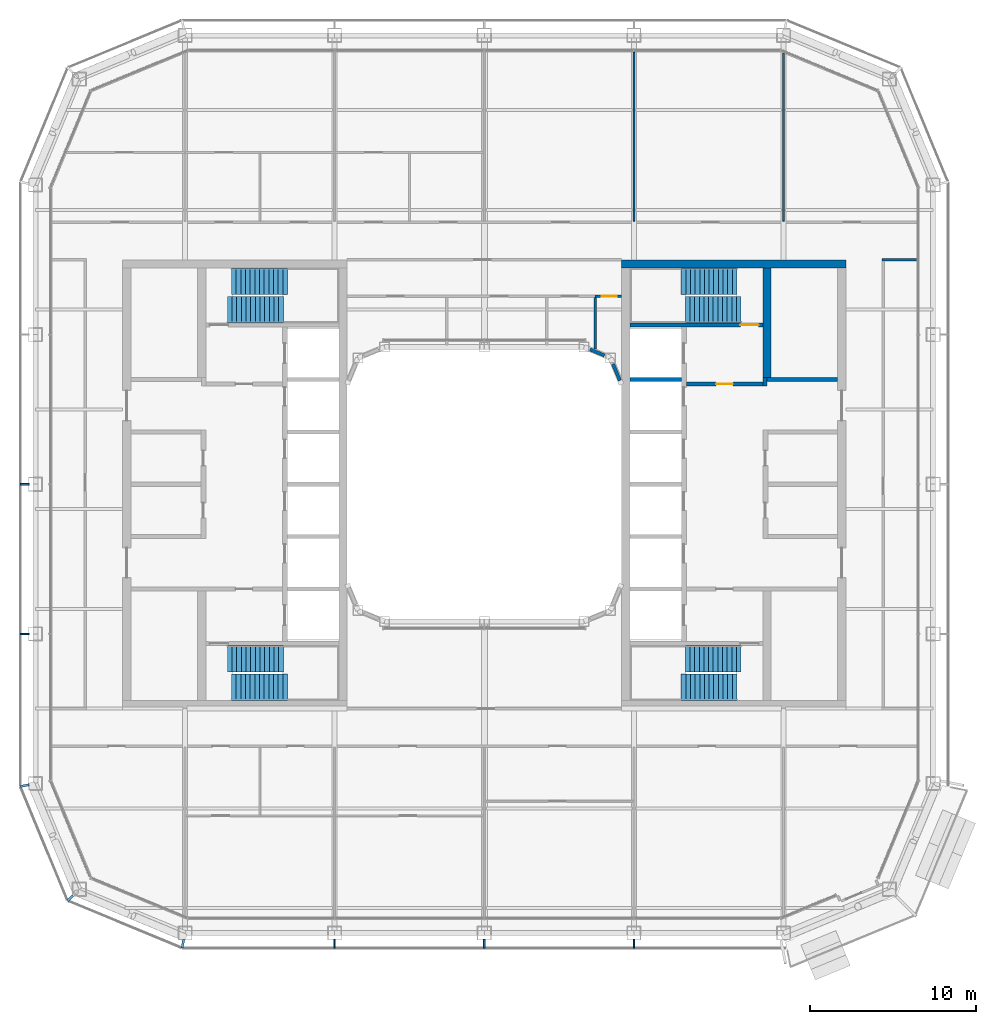
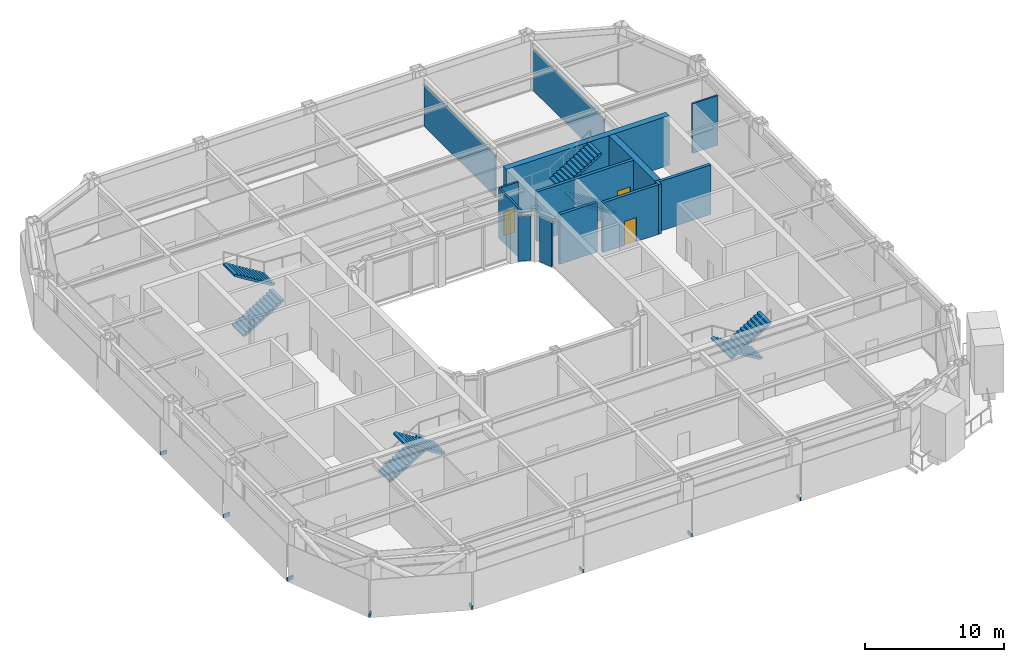
# One storey, part 15 of 22: 14 walls, 8 discrete accessories, 8 stair flights, 3 doors, 3 openings, 4 elements without a shape of their own.
"""IFC4 building model written with IfcOpenShell, lengths in metres."""

from ifc_helpers import new_model, si_unit, direction, frame, frame_2d, origin, origin_2d, place, context, subcontext, project, spatial, polyline, rectangle, outline, extrude, material, layer, layer_set, type_object, element, fill, aggregate, save


model = new_model("IFC4")

# Units and contexts
model_context = context("Model", 3, precision=1e-05, world=origin(), true_north=direction((0.0, 1.0)))
body_context = subcontext(model_context, "Body", "Model", "MODEL_VIEW")
ifc_project = project(units=[si_unit("LENGTHUNIT", "METRE"), si_unit("AREAUNIT", "SQUARE_METRE"), si_unit("VOLUMEUNIT", "CUBIC_METRE"), si_unit("PLANEANGLEUNIT", "RADIAN"), si_unit("MASSUNIT", "GRAM", prefix="KILO")], contexts=[model_context])

# Site, building, storey
site_placement = place(None, origin())
site = spatial("IfcSite", under=ifc_project, at=site_placement, CompositionType="ELEMENT")
building_placement = place(site_placement, origin())
building = spatial("IfcBuilding", under=site, at=building_placement, Name="Siwar Civic Tower", CompositionType="ELEMENT")
storey_placement = place(building_placement, frame((0.0, 0.0, 219.699951171875)))
storey = spatial("IfcBuildingStorey", under=building, at=storey_placement, Name="L47", CompositionType="ELEMENT", Elevation=219.699951171875)

# Wall, opening, door
ifc_material_1 = material(Name="Gypsum board on steel studs", Category="steel")
ifc_layer_1 = layer(ifc_material_1, 0.14990234375)
ifc_layer_set_1 = layer_set([ifc_layer_1], Name="Gypsum board on steel studs")
wall_type_1 = type_object("IfcWallType", Name="COMPARTMENT PARTITION 150 EI 60", PredefinedType="PARTITIONING", material=ifc_layer_set_1)
wall_1_placement = place(storey_placement, frame((6.659912109375, 11.300048828125, 0.0), z_axis=(0.0, 0.0, 1.0), x_axis=(1.0, 0.0, 0.0)))
wall_1 = element("IfcWall", 1, at=wall_1_placement, inside=storey, type_object=wall_type_1, Name="L47/wall/P08", PredefinedType="PARTITIONING", context=body_context, shape_type="SweptSolid", body=[
    extrude(rectangle(XDim=1.590087890625, YDim=0.14990234375, at=frame_2d((0.794921875, 0.0))), origin(), (0.0, 0.0, 1.0), 4.35009765625),
])
opening_1_placement = place(wall_1_placement, frame((0.39990234375, 0.0, 0.0)))
opening_1 = element("IfcOpeningElement", 2, at=opening_1_placement, cuts=wall_1, Name="Opening D4", PredefinedType="OPENING", context=body_context, shape_type="SweptSolid", body=[
    extrude(rectangle(XDim=0.89990234375, YDim=2.10009765625, at=frame_2d((0.449951171875, 1.050048828125))), frame((0.0, 0.0849609375, 0.0), z_axis=(0.0, -1.0, 0.0), x_axis=(1.0, 0.0, 0.0)), (0.0, 0.0, 1.0), 0.169921875),
])
ifc_material_2 = material(Name="Timber, painted", Category="wood")
door_type_1 = type_object("IfcDoorType", Name="DOOR 900 X 2100 FD60", OperationType="SINGLE_SWING_LEFT", PredefinedType="DOOR", material=ifc_material_2)
door_1_placement = place(opening_1_placement, origin())
door_1 = element("IfcDoor", 3, at=door_1_placement, inside=storey, type_object=door_type_1, Name="L47-D28", OperationType="SINGLE_SWING_RIGHT", OverallHeight=2.10009765625, OverallWidth=0.89990234375, PredefinedType="DOOR", context=body_context, shape_type="SweptSolid", body=[
    extrude(rectangle(XDim=0.89990234375, YDim=2.10009765625, at=frame_2d((0.449951171875, 1.050048828125))), frame((0.0, 0.02490234375, 0.0), z_axis=(0.0, -1.0, 0.0), x_axis=(1.0, 0.0, 0.0)), (0.0, 0.0, 1.0), 0.050048828125),
])
fill(opening_1, door_1)

# Wall
wall_2_placement = place(storey_placement, frame((6.659912109375, 8.126953125, 0.0), z_axis=(0.0, 0.0, 1.0), x_axis=(0.0, 1.0, 0.0)))
element("IfcWall", 4, at=wall_2_placement, inside=storey, type_object=wall_type_1, Name="L47/wall/P29", PredefinedType="PARTITIONING", context=body_context, shape_type="SweptSolid", body=[
    extrude(rectangle(XDim=3.09814453125, YDim=0.14990234375, at=frame_2d((1.549072265625, 0.0))), origin(), (0.0, 0.0, 1.0), 4.35009765625),
])

# Wall, opening, door
ifc_material_3 = material(Name="Concrete C60/75", Category="concrete")
ifc_layer_2 = layer(ifc_material_3, 0.25)
ifc_layer_set_2 = layer_set([ifc_layer_2], Name="Concrete C60/75")
wall_type_2 = type_object("IfcWallType", Name="CORE-WALL-RC250", PredefinedType="SHEAR", material=ifc_layer_set_2)
wall_3_placement = place(storey_placement, frame((12.14990234375, 6.02490234375, 0.0), z_axis=(0.0, 0.0, 1.0), x_axis=(1.0, 0.0, 0.0)))
wall_3 = element("IfcWall", 5, at=wall_3_placement, inside=storey, type_object=wall_type_2, Name="Core wall E", PredefinedType="SHEAR", context=body_context, shape_type="SweptSolid", body=[
    extrude(rectangle(XDim=4.60009765625, YDim=0.25, at=frame_2d((2.300048828125, 0.0))), origin(), (0.0, 0.0, 1.0), 4.35009765625),
])
opening_2_placement = place(wall_3_placement, frame((1.800048828125, 0.0, 0.0)))
opening_2 = element("IfcOpeningElement", 6, at=opening_2_placement, cuts=wall_3, Name="Opening L47-CE01", PredefinedType="OPENING", context=body_context, shape_type="SweptSolid", body=[
    extrude(rectangle(XDim=1.0, YDim=2.10009765625, at=frame_2d((0.5, 1.050048828125))), frame((0.0, 0.135009765625, 0.0), z_axis=(0.0, -1.0, 0.0), x_axis=(1.0, 0.0, 0.0)), (0.0, 0.0, 1.0), 0.27001953125),
])
ifc_material_4 = material(Name="Steel door leaf", Category="steel")
door_type_2 = type_object("IfcDoorType", Name="CORE-DOOR-FD30S", OperationType="SINGLE_SWING_LEFT", PredefinedType="DOOR", material=ifc_material_4)
door_2_placement = place(opening_2_placement, origin())
door_2 = element("IfcDoor", 7, at=door_2_placement, inside=storey, type_object=door_type_2, Name="Firefighting lobby door L47-CE01", OperationType="SINGLE_SWING_RIGHT", OverallHeight=2.10009765625, OverallWidth=1.0, PredefinedType="DOOR", context=body_context, shape_type="SweptSolid", body=[
    extrude(rectangle(XDim=1.0, YDim=2.10009765625, at=frame_2d((0.5, 1.050048828125))), frame((0.0, 0.02490234375, 0.0), z_axis=(0.0, -1.0, 0.0), x_axis=(1.0, 0.0, 0.0)), (0.0, 0.0, 1.0), 0.050048828125),
])
fill(opening_2, door_2)

# Walls
wall_4_placement = place(storey_placement, frame((16.875, 5.89990234375, 0.0), z_axis=(0.0, 0.0, 1.0), x_axis=(0.0, 1.0, 0.0)))
element("IfcWall", 8, at=wall_4_placement, inside=storey, type_object=wall_type_2, Name="Core wall E", PredefinedType="SHEAR", context=body_context, shape_type="SweptSolid", body=[
    extrude(rectangle(XDim=0.525146484375, YDim=0.25, at=frame_2d((0.2626953125, 0.0))), origin(), (0.0, 0.0, 1.0), 4.35009765625),
])
wall_5_placement = place(storey_placement, frame((17.0, 6.300048828125, 0.0), z_axis=(0.0, 0.0, 1.0), x_axis=(1.0, 0.0, 0.0)))
element("IfcWall", 9, at=wall_5_placement, inside=storey, type_object=wall_type_2, Name="Core wall E", PredefinedType="SHEAR", context=body_context, shape_type="SweptSolid", body=[
    extrude(rectangle(XDim=4.25, YDim=0.25, at=frame_2d((2.125, 0.0))), origin(), (0.0, 0.0, 1.0), 4.35009765625),
])
wall_6_placement = place(storey_placement, frame((8.75, 6.300048828125, 0.0), z_axis=(0.0, 0.0, 1.0), x_axis=(1.0, 0.0, 0.0)))
element("IfcWall", 10, at=wall_6_placement, inside=storey, type_object=wall_type_2, Name="Core wall E", PredefinedType="SHEAR", context=body_context, shape_type="SweptSolid", body=[
    extrude(rectangle(XDim=3.10009765625, YDim=0.25, at=frame_2d((1.550048828125, 0.0))), origin(), (0.0, 0.0, 1.0), 4.35009765625),
])

# Wall, opening, door
wall_7_placement = place(storey_placement, frame((8.75, 9.574951171875, 0.0), z_axis=(0.0, 0.0, 1.0), x_axis=(1.0, 0.0, 0.0)))
wall_7 = element("IfcWall", 11, at=wall_7_placement, inside=storey, type_object=wall_type_2, Name="Core wall E", PredefinedType="SHEAR", context=body_context, shape_type="SweptSolid", body=[
    extrude(rectangle(XDim=8.0, YDim=0.25, at=frame_2d((4.0, 0.0))), origin(), (0.0, 0.0, 1.0), 4.35009765625),
])
opening_3_placement = place(wall_7_placement, frame((6.64990234375, 0.0, 0.0)))
opening_3 = element("IfcOpeningElement", 12, at=opening_3_placement, cuts=wall_7, Name="Opening L47-CE03", PredefinedType="OPENING", context=body_context, shape_type="SweptSolid", body=[
    extrude(rectangle(XDim=1.10009765625, YDim=2.10009765625, at=frame_2d((0.550048828125, 1.050048828125))), frame((0.0, 0.135009765625, 0.0), z_axis=(0.0, -1.0, 0.0), x_axis=(1.0, 0.0, 0.0)), (0.0, 0.0, 1.0), 0.27001953125),
])
ifc_material_5 = material(Name="Steel door leaf", Category="steel")
door_type_3 = type_object("IfcDoorType", Name="CORE-DOOR-FD60S", OperationType="SINGLE_SWING_LEFT", PredefinedType="DOOR", material=ifc_material_5)
door_3_placement = place(opening_3_placement, origin())
door_3 = element("IfcDoor", 13, at=door_3_placement, inside=storey, type_object=door_type_3, Name="Stair door L47-CE03", OperationType="SINGLE_SWING_LEFT", OverallHeight=2.10009765625, OverallWidth=1.10009765625, PredefinedType="DOOR", context=body_context, shape_type="SweptSolid", body=[
    extrude(rectangle(XDim=1.10009765625, YDim=2.10009765625, at=frame_2d((0.550048828125, 1.050048828125))), frame((0.0, 0.02490234375, 0.0), z_axis=(0.0, -1.0, 0.0), x_axis=(1.0, 0.0, 0.0)), (0.0, 0.0, 1.0), 0.050048828125),
])
fill(opening_3, door_3)

# Walls
ifc_material_6 = material(Name="Concrete C60/75", Category="concrete")
ifc_layer_3 = layer(ifc_material_6, 0.5)
ifc_layer_set_3 = layer_set([ifc_layer_3], Name="Concrete C60/75")
wall_type_3 = type_object("IfcWallType", Name="CORE-WALL-RC500", PredefinedType="SHEAR", material=ifc_layer_set_3)
wall_8_placement = place(storey_placement, frame((17.0, 6.425048828125, 0.0), z_axis=(0.0, 0.0, 1.0), x_axis=(0.0, 1.0, 0.0)))
element("IfcWall", 14, at=wall_8_placement, inside=storey, type_object=wall_type_3, Name="Core wall E", PredefinedType="SHEAR", context=body_context, shape_type="SweptSolid", body=[
    extrude(rectangle(XDim=6.574951171875, YDim=0.5, at=frame_2d((3.28759765625, 0.0))), origin(), (0.0, 0.0, 1.0), 4.35009765625),
])
wall_9_placement = place(storey_placement, frame((8.25, 13.25, 0.0), z_axis=(0.0, 0.0, 1.0), x_axis=(1.0, 0.0, 0.0)))
element("IfcWall", 15, at=wall_9_placement, inside=storey, type_object=wall_type_3, Name="Core wall E", PredefinedType="SHEAR", context=body_context, shape_type="SweptSolid", body=[
    extrude(rectangle(XDim=13.5, YDim=0.5, at=frame_2d((6.75, 0.0))), origin(), (0.0, 0.0, 1.0), 4.35009765625),
])
ifc_material_7 = material(Name="Gypsum board on steel studs", Category="steel")
ifc_layer_4 = layer(ifc_material_7, 0.14990234375)
ifc_layer_set_4 = layer_set([ifc_layer_4], Name="Gypsum board on steel studs")
wall_type_4 = type_object("IfcWallType", Name="CORRIDOR PARTITION 150 EI 30", PredefinedType="PARTITIONING", material=ifc_layer_set_4)
wall_10_placement = place(storey_placement, frame((23.925048828125, 13.5, 0.0), z_axis=(0.0, 0.0, 1.0), x_axis=(1.0, 0.0, 0.0)))
element("IfcWall", 16, at=wall_10_placement, inside=storey, type_object=wall_type_4, Name="L47/wall/P11", PredefinedType="PARTITIONING", context=body_context, shape_type="SweptSolid", body=[
    extrude(rectangle(XDim=2.0849609375, YDim=0.14990234375, at=frame_2d((1.04248046875, 0.0))), origin(), (0.0, 0.0, 1.0), 4.35009765625),
])
ifc_material_8 = material(Name="Aluminium clad insulated panel", Category="aluminium")
ifc_layer_5 = layer(ifc_material_8, 0.199951171875)
ifc_layer_set_5 = layer_set([ifc_layer_5], Name="Aluminium clad insulated panel")
wall_type_5 = type_object("IfcWallType", Name="ENV-WALL-WELL", PredefinedType="STANDARD", material=ifc_layer_set_5)
wall_11_placement = place(storey_placement, frame((8.154296875, 6.23095703125, 0.0), z_axis=(0.0, 0.0, 1.0), x_axis=(-0.382704496366, 0.923870807235, 0.0)))
element("IfcWall", 17, at=wall_11_placement, inside=storey, type_object=wall_type_5, Name="Light well corner wall NE1", PredefinedType="STANDARD", context=body_context, shape_type="SweptSolid", body=[
    extrude(rectangle(XDim=1.080078125, YDim=0.199951171875, at=frame_2d((0.5400390625, 0.0))), origin(), (0.0, 0.0, 1.0), 3.91796875),
])
wall_12_placement = place(storey_placement, frame((7.228759765625, 7.740966796875, 0.0), z_axis=(0.0, 0.0, 1.0), x_axis=(-0.923829670615, 0.382803787458, 0.0)))
element("IfcWall", 18, at=wall_12_placement, inside=storey, type_object=wall_type_5, Name="Light well corner wall NE2", PredefinedType="STANDARD", context=body_context, shape_type="SweptSolid", body=[
    extrude(rectangle(XDim=0.938232421875, YDim=0.199951171875, at=frame_2d((0.46923828125, 0.0))), origin(), (0.0, 0.0, 1.0), 3.91796875),
])
ifc_material_9 = material(Name="Gypsum board on steel studs", Category="steel")
ifc_layer_6 = layer(ifc_material_9, 0.10009765625)
ifc_layer_set_6 = layer_set([ifc_layer_6], Name="Gypsum board on steel studs")
wall_type_6 = type_object("IfcWallType", Name="PARTITION 100 GYPSUM", PredefinedType="PARTITIONING", material=ifc_layer_set_6)
wall_13_placement = place(storey_placement, frame((9.0, 15.824951171875, 0.0), z_axis=(0.0, 0.0, 1.0), x_axis=(0.0, 1.0, 0.0)))
element("IfcWall", 19, at=wall_13_placement, inside=storey, type_object=wall_type_6, Name="L47/wall/P31", PredefinedType="PARTITIONING", context=body_context, shape_type="SweptSolid", body=[
    extrude(rectangle(XDim=10.18505859375, YDim=0.10009765625, at=frame_2d((5.092529296875, 0.0))), origin(), (0.0, 0.0, 1.0), 3.650146484375),
])
wall_14_placement = place(storey_placement, frame((18.0, 15.824951171875, 0.0), z_axis=(0.0, 0.0, 1.0), x_axis=(0.0, 1.0, 0.0)))
element("IfcWall", 20, at=wall_14_placement, inside=storey, type_object=wall_type_6, Name="L47/wall/P33", PredefinedType="PARTITIONING", context=body_context, shape_type="SweptSolid", body=[
    extrude(rectangle(XDim=10.10302734375, YDim=0.10009765625, at=frame_2d((5.051513671875, 0.0))), origin(), (0.0, 0.0, 1.0), 3.650146484375),
])

# Stair, stair flights
ifc_material_10 = material(Name="Concrete C40/50", Category="concrete")
stair_type = type_object("IfcStairType", Name="CORE-STAIR", PredefinedType="TWO_STRAIGHT_RUN_STAIR", material=ifc_material_10)
stair_1_placement = place(storey_placement, origin())
stair_1 = element("IfcStair", 21, at=stair_1_placement, inside=storey, type_object=stair_type, Name="Exit stair ST1", PredefinedType="TWO_STRAIGHT_RUN_STAIR")
ifc_material_11 = material(Name="Concrete C40/50", Category="concrete")
stair_flight_type = type_object("IfcStairFlightType", Name="CORE-STAIR-FLIGHT", PredefinedType="STRAIGHT", material=ifc_material_11)
stair_flight_1_placement = place(storey_placement, frame((-15.449951171875, 10.5, 0.0), z_axis=(0.0, 0.0, 1.0), x_axis=(1.0, 0.0, 0.0)))
stair_flight_1 = element("IfcStairFlight", 22, at=stair_flight_1_placement, type_object=stair_flight_type, Name="ST1 flight 1", NumberOfRisers=13, NumberOfTreads=12, PredefinedType="STRAIGHT", RiserHeight=0.173076923, TreadLength=0.28, context=body_context, shape_type="SweptSolid", body=[
    extrude(outline(polyline([(0.0, 0.0), (0.0, 0.173095703125), (0.280029296875, 0.173095703125), (0.280029296875, 0.34619140625), (0.56005859375, 0.34619140625), (0.56005859375, 0.519287109375), (0.840087890625, 0.519287109375), (0.840087890625, 0.6923828125), (1.1201171875, 0.6923828125), (1.1201171875, 0.865478515625), (1.39990234375, 0.865478515625), (1.39990234375, 1.03857421875), (1.679931640625, 1.03857421875), (1.679931640625, 1.21142578125), (1.9599609375, 1.21142578125), (1.9599609375, 1.384521484375), (2.239990234375, 1.384521484375), (2.239990234375, 1.5576171875), (2.52001953125, 1.5576171875), (2.52001953125, 1.730712890625), (2.800048828125, 1.730712890625), (2.800048828125, 1.90380859375), (3.080078125, 1.90380859375), (3.080078125, 2.076904296875), (3.360107421875, 2.076904296875), (3.360107421875, 2.25), (3.360107421875, 1.900634765625), (0.28515625, 0.0), (0.0, 0.0)])), frame((0.0, 0.800048828125, 0.0), z_axis=(0.0, -1.0, 0.0), x_axis=(1.0, 0.0, 0.0)), (0.0, 0.0, 1.0), 1.60009765625),
])
stair_flight_2_placement = place(storey_placement, frame((-11.840087890625, 12.199951171875, 2.25), z_axis=(0.0, 0.0, 1.0), x_axis=(-1.0, 0.0, 0.0)))
stair_flight_2 = element("IfcStairFlight", 23, at=stair_flight_2_placement, type_object=stair_flight_type, Name="ST1 flight 2", NumberOfRisers=13, NumberOfTreads=12, PredefinedType="STRAIGHT", RiserHeight=0.173076923, TreadLength=0.28, context=body_context, shape_type="SweptSolid", body=[
    extrude(outline(polyline([(0.0, 0.0), (0.0, 0.173095703125), (0.280029296875, 0.173095703125), (0.280029296875, 0.34619140625), (0.56005859375, 0.34619140625), (0.56005859375, 0.519287109375), (0.840087890625, 0.519287109375), (0.840087890625, 0.6923828125), (1.1201171875, 0.6923828125), (1.1201171875, 0.865478515625), (1.39990234375, 0.865478515625), (1.39990234375, 1.03857421875), (1.679931640625, 1.03857421875), (1.679931640625, 1.21142578125), (1.9599609375, 1.21142578125), (1.9599609375, 1.384521484375), (2.239990234375, 1.384521484375), (2.239990234375, 1.5576171875), (2.52001953125, 1.5576171875), (2.52001953125, 1.730712890625), (2.800048828125, 1.730712890625), (2.800048828125, 1.90380859375), (3.080078125, 1.90380859375), (3.080078125, 2.076904296875), (3.360107421875, 2.076904296875), (3.360107421875, 2.25), (3.360107421875, 1.900634765625), (0.28515625, 0.0), (0.0, 0.0)])), frame((0.0, 0.800048828125, 0.0), z_axis=(0.0, -1.0, 0.0), x_axis=(1.0, 0.0, 0.0)), (0.0, 0.0, 1.0), 1.60009765625),
])
aggregate(stair_1, [stair_flight_1, stair_flight_2])

stair_2_placement = place(storey_placement, origin())
stair_2 = element("IfcStair", 24, at=stair_2_placement, inside=storey, type_object=stair_type, Name="Exit stair ST2", PredefinedType="TWO_STRAIGHT_RUN_STAIR")
stair_flight_3_placement = place(storey_placement, frame((-15.449951171875, -10.5, 0.0), z_axis=(0.0, 0.0, 1.0), x_axis=(1.0, 0.0, 0.0)))
stair_flight_3 = element("IfcStairFlight", 25, at=stair_flight_3_placement, type_object=stair_flight_type, Name="ST2 flight 1", NumberOfRisers=13, NumberOfTreads=12, PredefinedType="STRAIGHT", RiserHeight=0.173076923, TreadLength=0.28, context=body_context, shape_type="SweptSolid", body=[
    extrude(outline(polyline([(0.0, 0.0), (0.0, 0.173095703125), (0.280029296875, 0.173095703125), (0.280029296875, 0.34619140625), (0.56005859375, 0.34619140625), (0.56005859375, 0.519287109375), (0.840087890625, 0.519287109375), (0.840087890625, 0.6923828125), (1.1201171875, 0.6923828125), (1.1201171875, 0.865478515625), (1.39990234375, 0.865478515625), (1.39990234375, 1.03857421875), (1.679931640625, 1.03857421875), (1.679931640625, 1.21142578125), (1.9599609375, 1.21142578125), (1.9599609375, 1.384521484375), (2.239990234375, 1.384521484375), (2.239990234375, 1.5576171875), (2.52001953125, 1.5576171875), (2.52001953125, 1.730712890625), (2.800048828125, 1.730712890625), (2.800048828125, 1.90380859375), (3.080078125, 1.90380859375), (3.080078125, 2.076904296875), (3.360107421875, 2.076904296875), (3.360107421875, 2.25), (3.360107421875, 1.900634765625), (0.28515625, 0.0), (0.0, 0.0)])), frame((0.0, 0.800048828125, 0.0), z_axis=(0.0, -1.0, 0.0), x_axis=(1.0, 0.0, 0.0)), (0.0, 0.0, 1.0), 1.60009765625),
])
stair_flight_4_placement = place(storey_placement, frame((-11.840087890625, -12.199951171875, 2.25), z_axis=(0.0, 0.0, 1.0), x_axis=(-1.0, 0.0, 0.0)))
stair_flight_4 = element("IfcStairFlight", 26, at=stair_flight_4_placement, type_object=stair_flight_type, Name="ST2 flight 2", NumberOfRisers=13, NumberOfTreads=12, PredefinedType="STRAIGHT", RiserHeight=0.173076923, TreadLength=0.28, context=body_context, shape_type="SweptSolid", body=[
    extrude(outline(polyline([(0.0, 0.0), (0.0, 0.173095703125), (0.280029296875, 0.173095703125), (0.280029296875, 0.34619140625), (0.56005859375, 0.34619140625), (0.56005859375, 0.519287109375), (0.840087890625, 0.519287109375), (0.840087890625, 0.6923828125), (1.1201171875, 0.6923828125), (1.1201171875, 0.865478515625), (1.39990234375, 0.865478515625), (1.39990234375, 1.03857421875), (1.679931640625, 1.03857421875), (1.679931640625, 1.21142578125), (1.9599609375, 1.21142578125), (1.9599609375, 1.384521484375), (2.239990234375, 1.384521484375), (2.239990234375, 1.5576171875), (2.52001953125, 1.5576171875), (2.52001953125, 1.730712890625), (2.800048828125, 1.730712890625), (2.800048828125, 1.90380859375), (3.080078125, 1.90380859375), (3.080078125, 2.076904296875), (3.360107421875, 2.076904296875), (3.360107421875, 2.25), (3.360107421875, 1.900634765625), (0.28515625, 0.0), (0.0, 0.0)])), frame((0.0, 0.800048828125, 0.0), z_axis=(0.0, -1.0, 0.0), x_axis=(1.0, 0.0, 0.0)), (0.0, 0.0, 1.0), 1.60009765625),
])
aggregate(stair_2, [stair_flight_3, stair_flight_4])

stair_3_placement = place(storey_placement, origin())
stair_3 = element("IfcStair", 27, at=stair_3_placement, inside=storey, type_object=stair_type, Name="Exit stair ST3", PredefinedType="TWO_STRAIGHT_RUN_STAIR")
stair_flight_5_placement = place(storey_placement, frame((15.449951171875, 10.5, 0.0), z_axis=(0.0, 0.0, 1.0), x_axis=(-1.0, 0.0, 0.0)))
stair_flight_5 = element("IfcStairFlight", 28, at=stair_flight_5_placement, type_object=stair_flight_type, Name="ST3 flight 1", NumberOfRisers=13, NumberOfTreads=12, PredefinedType="STRAIGHT", RiserHeight=0.173076923, TreadLength=0.28, context=body_context, shape_type="SweptSolid", body=[
    extrude(outline(polyline([(0.0, 0.0), (0.0, 0.173095703125), (0.280029296875, 0.173095703125), (0.280029296875, 0.34619140625), (0.56005859375, 0.34619140625), (0.56005859375, 0.519287109375), (0.840087890625, 0.519287109375), (0.840087890625, 0.6923828125), (1.1201171875, 0.6923828125), (1.1201171875, 0.865478515625), (1.39990234375, 0.865478515625), (1.39990234375, 1.03857421875), (1.679931640625, 1.03857421875), (1.679931640625, 1.21142578125), (1.9599609375, 1.21142578125), (1.9599609375, 1.384521484375), (2.239990234375, 1.384521484375), (2.239990234375, 1.5576171875), (2.52001953125, 1.5576171875), (2.52001953125, 1.730712890625), (2.800048828125, 1.730712890625), (2.800048828125, 1.90380859375), (3.080078125, 1.90380859375), (3.080078125, 2.076904296875), (3.360107421875, 2.076904296875), (3.360107421875, 2.25), (3.360107421875, 1.900634765625), (0.28515625, 0.0), (0.0, 0.0)])), frame((0.0, 0.800048828125, 0.0), z_axis=(0.0, -1.0, 0.0), x_axis=(1.0, 0.0, 0.0)), (0.0, 0.0, 1.0), 1.60009765625),
])
stair_flight_6_placement = place(storey_placement, frame((11.840087890625, 12.199951171875, 2.25), z_axis=(0.0, 0.0, 1.0), x_axis=(1.0, 0.0, 0.0)))
stair_flight_6 = element("IfcStairFlight", 29, at=stair_flight_6_placement, type_object=stair_flight_type, Name="ST3 flight 2", NumberOfRisers=13, NumberOfTreads=12, PredefinedType="STRAIGHT", RiserHeight=0.173076923, TreadLength=0.28, context=body_context, shape_type="SweptSolid", body=[
    extrude(outline(polyline([(0.0, 0.0), (0.0, 0.173095703125), (0.280029296875, 0.173095703125), (0.280029296875, 0.34619140625), (0.56005859375, 0.34619140625), (0.56005859375, 0.519287109375), (0.840087890625, 0.519287109375), (0.840087890625, 0.6923828125), (1.1201171875, 0.6923828125), (1.1201171875, 0.865478515625), (1.39990234375, 0.865478515625), (1.39990234375, 1.03857421875), (1.679931640625, 1.03857421875), (1.679931640625, 1.21142578125), (1.9599609375, 1.21142578125), (1.9599609375, 1.384521484375), (2.239990234375, 1.384521484375), (2.239990234375, 1.5576171875), (2.52001953125, 1.5576171875), (2.52001953125, 1.730712890625), (2.800048828125, 1.730712890625), (2.800048828125, 1.90380859375), (3.080078125, 1.90380859375), (3.080078125, 2.076904296875), (3.360107421875, 2.076904296875), (3.360107421875, 2.25), (3.360107421875, 1.900634765625), (0.28515625, 0.0), (0.0, 0.0)])), frame((0.0, 0.800048828125, 0.0), z_axis=(0.0, -1.0, 0.0), x_axis=(1.0, 0.0, 0.0)), (0.0, 0.0, 1.0), 1.60009765625),
])
aggregate(stair_3, [stair_flight_5, stair_flight_6])

stair_4_placement = place(storey_placement, origin())
stair_4 = element("IfcStair", 30, at=stair_4_placement, inside=storey, type_object=stair_type, Name="Exit stair ST4", PredefinedType="TWO_STRAIGHT_RUN_STAIR")
stair_flight_7_placement = place(storey_placement, frame((15.449951171875, -10.5, 0.0), z_axis=(0.0, 0.0, 1.0), x_axis=(-1.0, 0.0, 0.0)))
stair_flight_7 = element("IfcStairFlight", 31, at=stair_flight_7_placement, type_object=stair_flight_type, Name="ST4 flight 1", NumberOfRisers=13, NumberOfTreads=12, PredefinedType="STRAIGHT", RiserHeight=0.173076923, TreadLength=0.28, context=body_context, shape_type="SweptSolid", body=[
    extrude(outline(polyline([(0.0, 0.0), (0.0, 0.173095703125), (0.280029296875, 0.173095703125), (0.280029296875, 0.34619140625), (0.56005859375, 0.34619140625), (0.56005859375, 0.519287109375), (0.840087890625, 0.519287109375), (0.840087890625, 0.6923828125), (1.1201171875, 0.6923828125), (1.1201171875, 0.865478515625), (1.39990234375, 0.865478515625), (1.39990234375, 1.03857421875), (1.679931640625, 1.03857421875), (1.679931640625, 1.21142578125), (1.9599609375, 1.21142578125), (1.9599609375, 1.384521484375), (2.239990234375, 1.384521484375), (2.239990234375, 1.5576171875), (2.52001953125, 1.5576171875), (2.52001953125, 1.730712890625), (2.800048828125, 1.730712890625), (2.800048828125, 1.90380859375), (3.080078125, 1.90380859375), (3.080078125, 2.076904296875), (3.360107421875, 2.076904296875), (3.360107421875, 2.25), (3.360107421875, 1.900634765625), (0.28515625, 0.0), (0.0, 0.0)])), frame((0.0, 0.800048828125, 0.0), z_axis=(0.0, -1.0, 0.0), x_axis=(1.0, 0.0, 0.0)), (0.0, 0.0, 1.0), 1.60009765625),
])
stair_flight_8_placement = place(storey_placement, frame((11.840087890625, -12.199951171875, 2.25), z_axis=(0.0, 0.0, 1.0), x_axis=(1.0, 0.0, 0.0)))
stair_flight_8 = element("IfcStairFlight", 32, at=stair_flight_8_placement, type_object=stair_flight_type, Name="ST4 flight 2", NumberOfRisers=13, NumberOfTreads=12, PredefinedType="STRAIGHT", RiserHeight=0.173076923, TreadLength=0.28, context=body_context, shape_type="SweptSolid", body=[
    extrude(outline(polyline([(0.0, 0.0), (0.0, 0.173095703125), (0.280029296875, 0.173095703125), (0.280029296875, 0.34619140625), (0.56005859375, 0.34619140625), (0.56005859375, 0.519287109375), (0.840087890625, 0.519287109375), (0.840087890625, 0.6923828125), (1.1201171875, 0.6923828125), (1.1201171875, 0.865478515625), (1.39990234375, 0.865478515625), (1.39990234375, 1.03857421875), (1.679931640625, 1.03857421875), (1.679931640625, 1.21142578125), (1.9599609375, 1.21142578125), (1.9599609375, 1.384521484375), (2.239990234375, 1.384521484375), (2.239990234375, 1.5576171875), (2.52001953125, 1.5576171875), (2.52001953125, 1.730712890625), (2.800048828125, 1.730712890625), (2.800048828125, 1.90380859375), (3.080078125, 1.90380859375), (3.080078125, 2.076904296875), (3.360107421875, 2.076904296875), (3.360107421875, 2.25), (3.360107421875, 1.900634765625), (0.28515625, 0.0), (0.0, 0.0)])), frame((0.0, 0.800048828125, 0.0), z_axis=(0.0, -1.0, 0.0), x_axis=(1.0, 0.0, 0.0)), (0.0, 0.0, 1.0), 1.60009765625),
])
aggregate(stair_4, [stair_flight_7, stair_flight_8])

# Discrete accessories
ifc_material_12 = material(Name="Stainless steel 316", Category="steel")
discrete_accessory_type = type_object("IfcDiscreteAccessoryType", Name="ENV-BRACKET", PredefinedType="BRACKET", material=ifc_material_12)
for number, where, z_axis, x_axis, name in (
    (33, (-9.0, -27.639892578125, -0.14990234375), (0.0, 0.0, 1.0), (0.0, -1.0, 0.0), "Bracket outer skin joint S-01"),
    (34, (0.0, -27.639892578125, -0.14990234375), (0.0, 0.0, 1.0), (0.0, -1.0, 0.0), "Bracket outer skin joint S-02"),
    (35, (9.0, -27.639892578125, -0.14990234375), (0.0, 0.0, 1.0), (0.0, -1.0, 0.0), "Bracket outer skin joint S-03"),
):
    element("IfcDiscreteAccessory", number, at=place(storey_placement, frame(where, z_axis=z_axis, x_axis=x_axis)), inside=storey, type_object=discrete_accessory_type, Name=name, PredefinedType="BRACKET", context=body_context, shape_type="SweptSolid", body=[
        extrude(rectangle(XDim=0.52001953125, YDim=0.10009765625, at=origin_2d()), origin(), (0.0, 0.0, 1.0), 0.300048828125),
    ])
for number, where, z_axis, x_axis, name in (
    (36, (-18.12744140625, -27.64013671875, -0.14990234375), (0.0, 0.0, 1.0), (-0.195090322016, -0.980785280403, 0.0), "Bracket outer skin joint V00"),
    (37, (-27.64013671875, -18.12744140625, -0.14990234375), (0.0, 0.0, 1.0), (-0.980785280403, -0.195090322016, 0.0), "Bracket outer skin joint V10"),
):
    element("IfcDiscreteAccessory", number, at=place(storey_placement, frame(where, z_axis=z_axis, x_axis=x_axis)), inside=storey, type_object=discrete_accessory_type, Name=name, PredefinedType="BRACKET", context=body_context, shape_type="SweptSolid", body=[
        extrude(rectangle(XDim=0.52978515625, YDim=0.13720703125, at=origin_2d()), origin(), (0.0, 0.0, 1.0), 0.300048828125),
    ])
discrete_accessory_placement = place(storey_placement, frame((-24.9013671875, -24.9013671875, -0.14990234375), z_axis=(0.0, 0.0, 1.0), x_axis=(-0.707106781187, -0.707106781187, 0.0)))
element("IfcDiscreteAccessory", 38, at=discrete_accessory_placement, inside=storey, type_object=discrete_accessory_type, Name="Bracket outer skin joint V11", PredefinedType="BRACKET", context=body_context, shape_type="SweptSolid", body=[
    extrude(rectangle(XDim=0.428466796875, YDim=0.12939453125, at=origin_2d()), origin(), (0.0, 0.0, 1.0), 0.300048828125),
])
for number, where, z_axis, x_axis, name in (
    (39, (-27.639892578125, 0.0, -0.14990234375), (0.0, 0.0, 1.0), (-1.0, 0.0, 0.0), "Bracket outer skin joint W-02"),
    (40, (-27.639892578125, -9.0, -0.14990234375), (0.0, 0.0, 1.0), (-1.0, 0.0, 0.0), "Bracket outer skin joint W-03"),
):
    element("IfcDiscreteAccessory", number, at=place(storey_placement, frame(where, z_axis=z_axis, x_axis=x_axis)), inside=storey, type_object=discrete_accessory_type, Name=name, PredefinedType="BRACKET", context=body_context, shape_type="SweptSolid", body=[
        extrude(rectangle(XDim=0.52001953125, YDim=0.10009765625, at=origin_2d()), origin(), (0.0, 0.0, 1.0), 0.300048828125),
    ])

save(model, "model.ifc")
